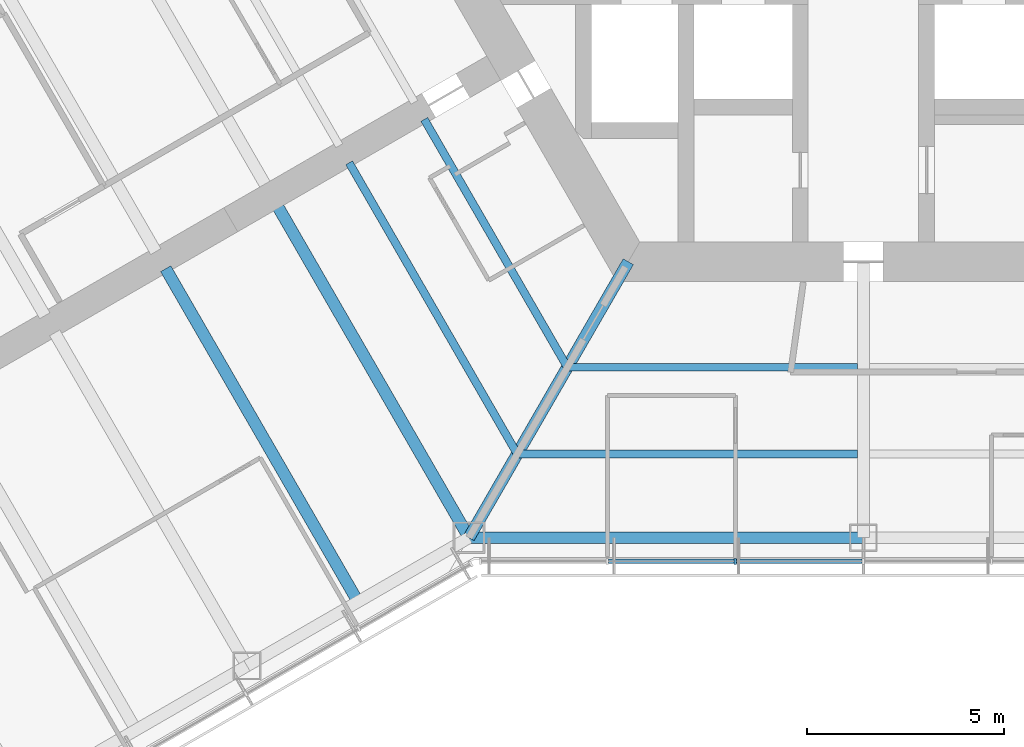
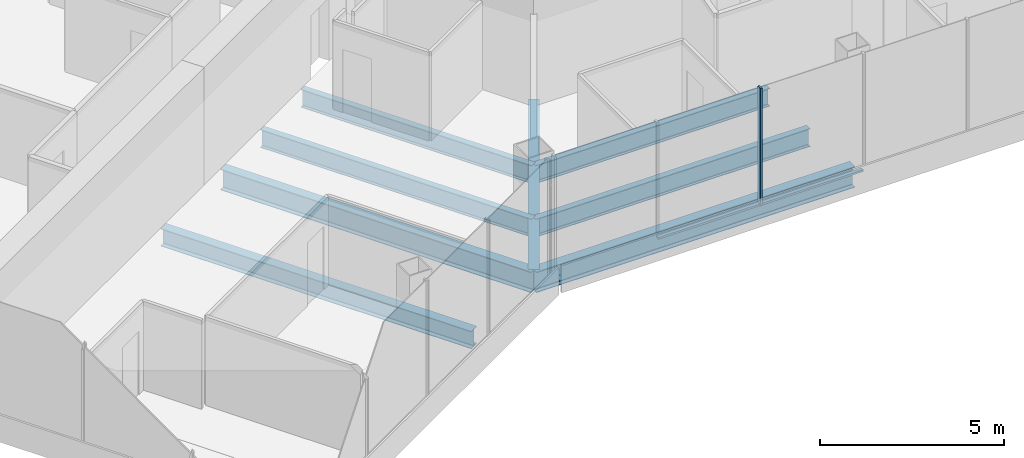
# One storey, part 3 of 19: 8 beams, 3 members, 1 element without a shape of its own.
"""IFC4 building model written with IfcOpenShell, lengths in metres."""

from ifc_helpers import new_model, si_unit, direction, frame, origin, origin_2d, place, context, subcontext, project, spatial, rectangle, i_section, extrude, material, material_profile, profile_set, type_object, element, aggregate, save


model = new_model("IFC4")

# Units and contexts
model_context = context("Model", 3, precision=1e-05, world=origin(), true_north=direction((0.0, 1.0)))
body_context = subcontext(model_context, "Body", "Model", "MODEL_VIEW")
ifc_project = project(units=[si_unit("LENGTHUNIT", "METRE"), si_unit("AREAUNIT", "SQUARE_METRE"), si_unit("VOLUMEUNIT", "CUBIC_METRE"), si_unit("PLANEANGLEUNIT", "RADIAN"), si_unit("MASSUNIT", "GRAM", prefix="KILO")], contexts=[model_context])

# Site, building, storey
site_placement = place(None, origin())
site = spatial("IfcSite", under=ifc_project, at=site_placement, CompositionType="ELEMENT")
building_placement = place(site_placement, origin())
building = spatial("IfcBuilding", under=site, at=building_placement, Name="Kasaneha Research Tower", CompositionType="ELEMENT")
storey_placement = place(building_placement, frame((0.0, 0.0, 156.5)))
storey = spatial("IfcBuildingStorey", under=building, at=storey_placement, Name="L39", CompositionType="ELEMENT", Elevation=156.5)

# Beams
ifc_material_1 = material(Name="Steel SN490B", Category="steel")
ifc_material_profile_1 = material_profile(ifc_material_1, i_section(OverallWidth=0.199951171875, OverallDepth=0.60009765625, WebThickness=0.010986328125, FlangeThickness=0.01708984375, FilletRadius=0.012939453125, at=origin_2d()), Name="H-600x200x11x17")
ifc_profile_set_1 = profile_set([ifc_material_profile_1], Name="Steel SN490B")
beam_type_1 = type_object("IfcBeamType", Name="B1-3 secondary beam H-600x200x11x17", PredefinedType="JOIST", material=ifc_profile_set_1)
beam_1_placement = place(storey_placement, frame((-7.505615234375, -13.0, -0.449951171875), z_axis=(-0.499993340521, 0.866029248602, 0.0), x_axis=(-0.866029248602, -0.499993340521, 0.0)))
element("IfcBeam", 1, at=beam_1_placement, inside=storey, type_object=beam_type_1, Name="Secondary beam RS210R1 L39", PredefinedType="JOIST", context=body_context, shape_type="SweptSolid", body=[
    extrude(i_section(OverallWidth=0.199951171875, OverallDepth=0.60009765625, WebThickness=0.010986328125, FlangeThickness=0.01708984375, FilletRadius=0.012939453125, at=origin_2d()), origin(), (0.0, 0.0, 1.0), 7.25537109375),
])
beam_2_placement = place(storey_placement, frame((-8.775634765625, -15.199951171875, -0.449951171875), z_axis=(-0.500004205306, 0.866022975836, 0.0), x_axis=(-0.866022975836, -0.500004205306, 0.0)))
element("IfcBeam", 2, at=beam_2_placement, inside=storey, type_object=beam_type_1, Name="Secondary beam RS210R2 L39", PredefinedType="JOIST", context=body_context, shape_type="SweptSolid", body=[
    extrude(i_section(OverallWidth=0.199951171875, OverallDepth=0.60009765625, WebThickness=0.010986328125, FlangeThickness=0.01708984375, FilletRadius=0.012939453125, at=origin_2d()), origin(), (0.0, 0.0, 1.0), 8.52587890625),
])
beam_3_placement = place(storey_placement, frame((-7.505615234375, -13.0, -0.449951171875), z_axis=(1.0, 0.0, 0.0), x_axis=(0.0, 1.0, 0.0)))
element("IfcBeam", 3, at=beam_3_placement, inside=storey, type_object=beam_type_1, Name="Secondary beam RS270L1 L39", PredefinedType="JOIST", context=body_context, shape_type="SweptSolid", body=[
    extrude(i_section(OverallWidth=0.199951171875, OverallDepth=0.60009765625, WebThickness=0.010986328125, FlangeThickness=0.01708984375, FilletRadius=0.012939453125, at=origin_2d()), origin(), (0.0, 0.0, 1.0), 7.355712890625),
])
beam_4_placement = place(storey_placement, frame((-8.775634765625, -15.199951171875, -0.449951171875), z_axis=(1.0, 0.0, 0.0), x_axis=(0.0, 1.0, 0.0)))
element("IfcBeam", 4, at=beam_4_placement, inside=storey, type_object=beam_type_1, Name="Secondary beam RS270L2 L39", PredefinedType="JOIST", context=body_context, shape_type="SweptSolid", body=[
    extrude(i_section(OverallWidth=0.199951171875, OverallDepth=0.60009765625, WebThickness=0.010986328125, FlangeThickness=0.01708984375, FilletRadius=0.012939453125, at=origin_2d()), origin(), (0.0, 0.0, 1.0), 8.625732421875),
])
ifc_material_2 = material(Name="Steel SN490B", Category="steel")
ifc_material_profile_2 = material_profile(ifc_material_2, i_section(OverallWidth=0.300048828125, OverallDepth=0.58203125, WebThickness=0.011962890625, FlangeThickness=0.01708984375, FilletRadius=0.012939453125, at=origin_2d()), Name="H-582x300x12x17")
ifc_profile_set_2 = profile_set([ifc_material_profile_2], Name="Steel SN490B")
beam_type_2 = type_object("IfcBeamType", Name="B2-3 secondary beam H-582x300x12x17", PredefinedType="JOIST", material=ifc_profile_set_2)
beam_5_placement = place(storey_placement, frame((-12.814697265625, -18.945556640625, -0.44091796875), z_axis=(-0.499995560238, 0.866027967067, 0.0), x_axis=(-0.866027967067, -0.499995560238, 0.0)))
element("IfcBeam", 5, at=beam_5_placement, inside=storey, type_object=beam_type_2, Name="Secondary beam WBBN1 L39", PredefinedType="JOIST", context=body_context, shape_type="SweptSolid", body=[
    extrude(i_section(OverallWidth=0.300048828125, OverallDepth=0.58203125, WebThickness=0.011962890625, FlangeThickness=0.01708984375, FilletRadius=0.012939453125, at=origin_2d()), origin(), (0.0, 0.0, 1.0), 9.75),
])

# Curtain wall, members
ifc_material_3 = material(Name="Glass and aluminium", Category="aluminium")
curtain_wall_type = type_object("IfcCurtainWallType", Name="Mid-rise office curtain wall", PredefinedType="USERDEFINED", material=ifc_material_3)
curtain_wall_placement = place(storey_placement, origin())
curtain_wall = element("IfcCurtainWall", 6, at=curtain_wall_placement, inside=storey, type_object=curtain_wall_type, Name="CW-O2 L39 run 01a", ObjectType="UNITISED CURTAIN WALL", PredefinedType="USERDEFINED")
ifc_material_4 = material(Name="Aluminium 6063-T6", Category="aluminium")
ifc_material_profile_3 = material_profile(ifc_material_4, rectangle(XDim=0.06005859375, YDim=0.14990234375, at=origin_2d()), Name="CW-O2 mullion 60x150")
ifc_profile_set_3 = profile_set([ifc_material_profile_3], Name="Aluminium 6063-T6")
member_type_1 = type_object("IfcMemberType", Name="CW-O2 mullion", PredefinedType="MULLION", material=ifc_profile_set_3)
member_1_placement = place(storey_placement, frame((-3.246337890625, -17.92041015625, 0.0), z_axis=(0.0, 0.0, 1.0), x_axis=(1.0, 0.0, 0.0)))
member_1 = element("IfcMember", 7, at=member_1_placement, type_object=member_type_1, Name="CW-O2 mullion 3", PredefinedType="MULLION", context=body_context, shape_type="SweptSolid", body=[
    extrude(rectangle(XDim=0.06005859375, YDim=0.14990234375, at=origin_2d()), origin(), (0.0, 0.0, 1.0), 3.89990234375),
])
ifc_material_5 = material(Name="Aluminium 6063-T6", Category="aluminium")
ifc_material_profile_4 = material_profile(ifc_material_5, rectangle(XDim=0.110107421875, YDim=0.06005859375, at=origin_2d()), Name="CW-O2 transom 110x60")
ifc_profile_set_4 = profile_set([ifc_material_profile_4], Name="Aluminium 6063-T6")
member_type_2 = type_object("IfcMemberType", Name="CW-O2 transom", PredefinedType="USERDEFINED", material=ifc_profile_set_4)
member_2_placement = place(storey_placement, frame((-6.462890625, -17.92041015625, 0.030029296875), z_axis=(1.0, 0.0, 0.0), x_axis=(0.0, 1.0, 0.0)))
member_2 = element("IfcMember", 8, at=member_2_placement, type_object=member_type_2, Name="CW-O2 transom 2", ObjectType="TRANSOM", PredefinedType="USERDEFINED", context=body_context, shape_type="SweptSolid", body=[
    extrude(rectangle(XDim=0.110107421875, YDim=0.06005859375, at=origin_2d()), origin(), (0.0, 0.0, 1.0), 3.1865234375),
])
member_3_placement = place(storey_placement, frame((-3.21630859375, -17.92041015625, 0.030029296875), z_axis=(1.0, 0.0, 0.0), x_axis=(0.0, 1.0, 0.0)))
member_3 = element("IfcMember", 9, at=member_3_placement, type_object=member_type_2, Name="CW-O2 transom 3", ObjectType="TRANSOM", PredefinedType="USERDEFINED", context=body_context, shape_type="SweptSolid", body=[
    extrude(rectangle(XDim=0.110107421875, YDim=0.06005859375, at=origin_2d()), origin(), (0.0, 0.0, 1.0), 3.186279296875),
])
aggregate(curtain_wall, [member_1, member_2, member_3])

# Beams
ifc_material_6 = material(Name="Steel SN490B", Category="steel")
ifc_material_profile_5 = material_profile(ifc_material_6, i_section(OverallWidth=0.300048828125, OverallDepth=0.699951171875, WebThickness=0.012939453125, FlangeThickness=0.02392578125, FilletRadius=0.01806640625, at=origin_2d()), Name="H-700x300x13x24")
ifc_profile_set_5 = profile_set([ifc_material_profile_5], Name="Steel SN490B")
beam_type_3 = type_object("IfcBeamType", Name="G1-3 radial girder H-700x300x13x24", PredefinedType="BEAM", material=ifc_profile_set_5)
beam_6_placement = place(storey_placement, frame((-5.961181640625, -10.324951171875, -0.5), z_axis=(-0.49999105496, -0.866030568144, 0.0), x_axis=(0.866030568144, -0.49999105496, 0.0)))
element("IfcBeam", 10, at=beam_6_placement, inside=storey, type_object=beam_type_3, Name="Radial girder RV240 L39", PredefinedType="BEAM", context=body_context, shape_type="SweptSolid", body=[
    extrude(i_section(OverallWidth=0.300048828125, OverallDepth=0.699951171875, WebThickness=0.012939453125, FlangeThickness=0.02392578125, FilletRadius=0.01806640625, at=origin_2d()), origin(), (0.0, 0.0, 1.0), 8.077880859375),
])
ifc_material_7 = material(Name="Steel SN490B", Category="steel")
ifc_material_profile_6 = material_profile(ifc_material_7, i_section(OverallWidth=0.300048828125, OverallDepth=0.69189453125, WebThickness=0.012939453125, FlangeThickness=0.02001953125, FilletRadius=0.01806640625, at=origin_2d()), Name="H-692x300x13x20")
ifc_profile_set_6 = profile_set([ifc_material_profile_6], Name="Steel SN490B")
beam_type_4 = type_object("IfcBeamType", Name="G3-3 plate edge girder H-692x300x13x20", PredefinedType="BEAM", material=ifc_profile_set_6)
beam_7_placement = place(storey_placement, frame((-10.0, -17.320556640625, -0.49609375), z_axis=(-0.499995560238, 0.866027967067, 0.0), x_axis=(-0.866027967067, -0.499995560238, 0.0)))
element("IfcBeam", 11, at=beam_7_placement, inside=storey, type_object=beam_type_4, Name="Plate edge girder PEBN L39", PredefinedType="BEAM", context=body_context, shape_type="SweptSolid", body=[
    extrude(i_section(OverallWidth=0.300048828125, OverallDepth=0.69189453125, WebThickness=0.012939453125, FlangeThickness=0.02001953125, FilletRadius=0.01806640625, at=origin_2d()), origin(), (0.0, 0.0, 1.0), 9.75),
])
ifc_material_8 = material(Name="Steel SN490B", Category="steel")
ifc_material_profile_7 = material_profile(ifc_material_8, i_section(OverallWidth=0.300048828125, OverallDepth=0.69189453125, WebThickness=0.012939453125, FlangeThickness=0.02001953125, FilletRadius=0.01806640625, at=origin_2d()), Name="H-692x300x13x20")
ifc_profile_set_7 = profile_set([ifc_material_profile_7], Name="Steel SN490B")
beam_type_5 = type_object("IfcBeamType", Name="SB1-3 spandrel beam H-692x300x13x20", PredefinedType="SPANDREL", material=ifc_profile_set_7)
beam_8_placement = place(storey_placement, frame((-10.0, -17.320556640625, -0.49609375), z_axis=(1.0, 0.0, 0.0), x_axis=(0.0, 1.0, 0.0)))
element("IfcBeam", 12, at=beam_8_placement, inside=storey, type_object=beam_type_5, Name="Spandrel beam SR270L L39", PredefinedType="SPANDREL", context=body_context, shape_type="SweptSolid", body=[
    extrude(i_section(OverallWidth=0.300048828125, OverallDepth=0.69189453125, WebThickness=0.012939453125, FlangeThickness=0.02001953125, FilletRadius=0.01806640625, at=origin_2d()), origin(), (0.0, 0.0, 1.0), 10.0),
])

save(model, "model.ifc")
